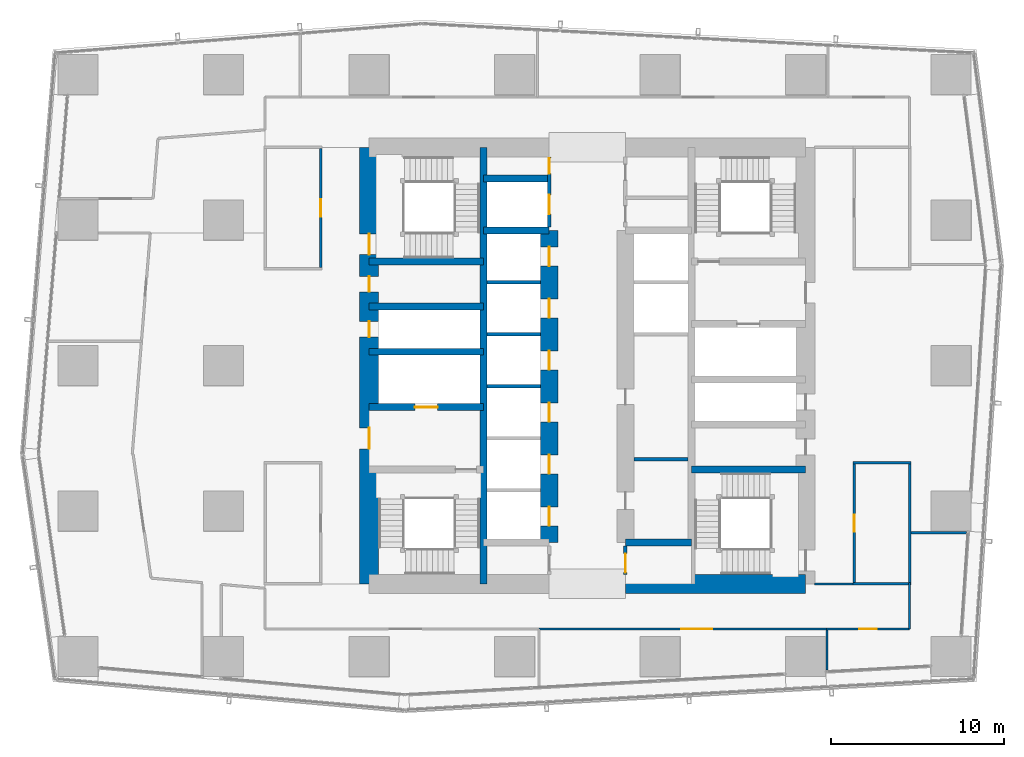
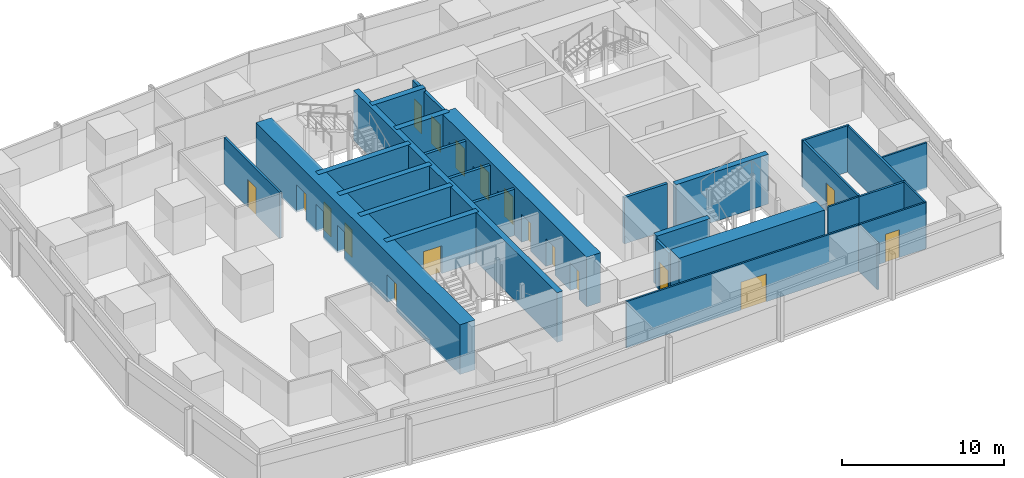
# One storey, part 22 of 32: 29 walls, 18 doors, 18 openings.
"""IFC4 building model written with IfcOpenShell, lengths in metres."""

from ifc_helpers import new_model, si_unit, direction, frame, frame_2d, origin, place, context, subcontext, project, spatial, rectangle, extrude, material, layer, layer_set, type_object, element, fill, save


model = new_model("IFC4")

# Units and contexts
model_context = context("Model", 3, precision=1e-05, world=origin(), true_north=direction((0.0, 1.0)))
body_context = subcontext(model_context, "Body", "Model", "MODEL_VIEW")
ifc_project = project(units=[si_unit("LENGTHUNIT", "METRE"), si_unit("AREAUNIT", "SQUARE_METRE"), si_unit("VOLUMEUNIT", "CUBIC_METRE"), si_unit("PLANEANGLEUNIT", "RADIAN"), si_unit("MASSUNIT", "GRAM", prefix="KILO")], contexts=[model_context])

# Site, building, storey
site_placement = place(None, origin())
site = spatial("IfcSite", under=ifc_project, at=site_placement, CompositionType="ELEMENT")
building_placement = place(site_placement, origin())
building = spatial("IfcBuilding", under=site, at=building_placement, Name="Rekha Terrace Tower", CompositionType="ELEMENT")
storey_placement = place(building_placement, frame((0.0, 0.0, 250.10009765625)))
storey = spatial("IfcBuildingStorey", under=building, at=storey_placement, Name="L63", CompositionType="ELEMENT", Elevation=250.10009765625)

# Walls
ifc_material_1 = material(Name="Concrete M60", Category="concrete")
ifc_layer_1 = layer(ifc_material_1, 0.39990234375)
ifc_layer_set_1 = layer_set([ifc_layer_1], Name="Concrete M60")
wall_type_1 = type_object("IfcWallType", Name="CI4 400 core internal shear wall", PredefinedType="SHEAR", material=ifc_layer_set_1)
wall_1_placement = place(storey_placement, frame((31.800048828125, 21.0, 0.0), z_axis=(0.0, 0.0, 1.0), x_axis=(0.0, 1.0, 0.0)))
element("IfcWall", 1, at=wall_1_placement, inside=storey, type_object=wall_type_1, Name="Core wall X318 L63", PredefinedType="SHEAR", context=body_context, shape_type="SweptSolid", body=[
    extrude(rectangle(XDim=25.199951171875, YDim=0.39990234375, at=frame_2d((12.60009765625, 0.0))), origin(), (0.0, 0.0, 1.0), 3.75),
])
for number, where, z_axis, x_axis, name in (
    (2, (31.800048828125, 41.39990234375, 0.0), (0.0, 0.0, 1.0), (1.0, 0.0, 0.0), "Core wall Y414W L63"),
    (3, (31.800048828125, 44.39990234375, 0.0), (0.0, 0.0, 1.0), (1.0, 0.0, 0.0), "Core wall Y444W L63"),
    (4, (40.0, 23.39990234375, 0.0), (0.0, 0.0, 1.0), (1.0, 0.0, 0.0), "Core wall Y234E L63"),
):
    element("IfcWall", number, at=place(storey_placement, frame(where, z_axis=z_axis, x_axis=x_axis)), inside=storey, type_object=wall_type_1, Name=name, PredefinedType="SHEAR", context=body_context, shape_type="SweptSolid", body=[
        extrude(rectangle(XDim=3.800048828125, YDim=0.39990234375, at=frame_2d((1.89990234375, 0.0))), origin(), (0.0, 0.0, 1.0), 3.75),
    ])

# Wall, opening, door
wall_2_placement = place(storey_placement, frame((25.199951171875, 31.199951171875, 0.0), z_axis=(0.0, 0.0, 1.0), x_axis=(1.0, 0.0, 0.0)))
wall_2 = element("IfcWall", 5, at=wall_2_placement, inside=storey, type_object=wall_type_1, Name="Core wall Y312W L63", PredefinedType="SHEAR", context=body_context, shape_type="SweptSolid", body=[
    extrude(rectangle(XDim=6.60009765625, YDim=0.39990234375, at=frame_2d((3.300048828125, 0.0))), origin(), (0.0, 0.0, 1.0), 3.75),
])
opening_1_placement = place(wall_2_placement, frame((2.64990234375, 0.0, 0.0)))
opening_1 = element("IfcOpeningElement", 6, at=opening_1_placement, cuts=wall_2, Name="Opening LD2", PredefinedType="OPENING", context=body_context, shape_type="SweptSolid", body=[
    extrude(rectangle(XDim=1.300048828125, YDim=2.10009765625, at=frame_2d((0.64990234375, 1.050048828125))), frame((0.0, 0.2099609375, 0.0), z_axis=(0.0, -1.0, 0.0), x_axis=(1.0, 0.0, 0.0)), (0.0, 0.0, 1.0), 0.419921875),
])
ifc_material_2 = material(Name="Stainless steel sliding landing door", Category="steel")
door_type_1 = type_object("IfcDoorType", Name="LD2 1300x2100 fire lift landing door", OperationType="SLIDING_TO_LEFT", PredefinedType="USERDEFINED", material=ifc_material_2)
door_1_placement = place(opening_1_placement, origin())
door_1 = element("IfcDoor", 7, at=door_1_placement, inside=storey, type_object=door_type_1, Name="Lift FL1 landing door L63", ObjectType="LIFT LANDING DOOR", OperationType="SLIDING_TO_LEFT", OverallHeight=2.10009765625, OverallWidth=1.300048828125, PredefinedType="USERDEFINED", context=body_context, shape_type="SweptSolid", body=[
    extrude(rectangle(XDim=1.300048828125, YDim=2.10009765625, at=frame_2d((0.64990234375, 1.050048828125))), frame((0.0, 0.02490234375, 0.0), z_axis=(0.0, -1.0, 0.0), x_axis=(1.0, 0.0, 0.0)), (0.0, 0.0, 1.0), 0.050048828125),
])
fill(opening_1, door_1)

# Walls
for number, where, z_axis, x_axis, name in (
    (8, (25.199951171875, 34.39990234375, 0.0), (0.0, 0.0, 1.0), (1.0, 0.0, 0.0), "Core wall Y344W L63"),
    (9, (25.199951171875, 37.0, 0.0), (0.0, 0.0, 1.0), (1.0, 0.0, 0.0), "Core wall Y370W L63"),
    (10, (25.199951171875, 39.60009765625, 0.0), (0.0, 0.0, 1.0), (1.0, 0.0, 0.0), "Core wall Y396W L63"),
):
    element("IfcWall", number, at=place(storey_placement, frame(where, z_axis=z_axis, x_axis=x_axis)), inside=storey, type_object=wall_type_1, Name=name, PredefinedType="SHEAR", context=body_context, shape_type="SweptSolid", body=[
        extrude(rectangle(XDim=6.60009765625, YDim=0.39990234375, at=frame_2d((3.300048828125, 0.0))), origin(), (0.0, 0.0, 1.0), 3.75),
    ])
wall_3_placement = place(storey_placement, frame((43.800048828125, 27.60009765625, 0.0), z_axis=(0.0, 0.0, 1.0), x_axis=(1.0, 0.0, 0.0)))
element("IfcWall", 11, at=wall_3_placement, inside=storey, type_object=wall_type_1, Name="Core wall Y276E L63", PredefinedType="SHEAR", context=body_context, shape_type="SweptSolid", body=[
    extrude(rectangle(XDim=6.599853515625, YDim=0.39990234375, at=frame_2d((3.2998046875, 0.0))), origin(), (0.0, 0.0, 1.0), 3.75),
])

# Wall, openings, doors
ifc_layer_2 = layer(ifc_material_1, 1.0)
ifc_layer_set_2 = layer_set([ifc_layer_2], Name="Concrete M60")
wall_type_2 = type_object("IfcWallType", Name="LW4 1000 core lobby wall at an outrigger level", PredefinedType="SHEAR", material=ifc_layer_set_2)
wall_4_placement = place(storey_placement, frame((35.60009765625, 23.39990234375, 0.0), z_axis=(0.0, 0.0, 1.0), x_axis=(0.0, 1.0, 0.0)))
wall_4 = element("IfcWall", 12, at=wall_4_placement, inside=storey, type_object=wall_type_2, Name="Core wall X356 L63", PredefinedType="SHEAR", context=body_context, shape_type="SweptSolid", body=[
    extrude(rectangle(XDim=18.0, YDim=1.0, at=frame_2d((9.0, 0.0))), origin(), (0.0, 0.0, 1.0), 3.75),
])
opening_2_placement = place(wall_4_placement, frame((0.949951171875, 0.0, 0.0)))
opening_2 = element("IfcOpeningElement", 13, at=opening_2_placement, cuts=wall_4, Name="Opening LD1", PredefinedType="OPENING", context=body_context, shape_type="SweptSolid", body=[
    extrude(rectangle(XDim=1.10009765625, YDim=2.10009765625, at=frame_2d((0.550048828125, 1.050048828125))), frame((0.0, 0.510009765625, 0.0), z_axis=(0.0, -1.0, 0.0), x_axis=(1.0, 0.0, 0.0)), (0.0, 0.0, 1.0), 1.02001953125),
])
opening_3_placement = place(wall_4_placement, frame((3.949951171875, 0.0, 0.0)))
opening_3 = element("IfcOpeningElement", 14, at=opening_3_placement, cuts=wall_4, Name="Opening LD1", PredefinedType="OPENING", context=body_context, shape_type="SweptSolid", body=[
    extrude(rectangle(XDim=1.10009765625, YDim=2.10009765625, at=frame_2d((0.550048828125, 1.050048828125))), frame((0.0, 0.510009765625, 0.0), z_axis=(0.0, -1.0, 0.0), x_axis=(1.0, 0.0, 0.0)), (0.0, 0.0, 1.0), 1.02001953125),
])
opening_4_placement = place(wall_4_placement, frame((6.949951171875, 0.0, 0.0)))
opening_4 = element("IfcOpeningElement", 15, at=opening_4_placement, cuts=wall_4, Name="Opening LD1", PredefinedType="OPENING", context=body_context, shape_type="SweptSolid", body=[
    extrude(rectangle(XDim=1.10009765625, YDim=2.10009765625, at=frame_2d((0.550048828125, 1.050048828125))), frame((0.0, 0.510009765625, 0.0), z_axis=(0.0, -1.0, 0.0), x_axis=(1.0, 0.0, 0.0)), (0.0, 0.0, 1.0), 1.02001953125),
])
opening_5_placement = place(wall_4_placement, frame((9.949951171875, 0.0, 0.0)))
opening_5 = element("IfcOpeningElement", 16, at=opening_5_placement, cuts=wall_4, Name="Opening LD1", PredefinedType="OPENING", context=body_context, shape_type="SweptSolid", body=[
    extrude(rectangle(XDim=1.10009765625, YDim=2.10009765625, at=frame_2d((0.550048828125, 1.050048828125))), frame((0.0, 0.510009765625, 0.0), z_axis=(0.0, -1.0, 0.0), x_axis=(1.0, 0.0, 0.0)), (0.0, 0.0, 1.0), 1.02001953125),
])
opening_6_placement = place(wall_4_placement, frame((12.949951171875, 0.0, 0.0)))
opening_6 = element("IfcOpeningElement", 17, at=opening_6_placement, cuts=wall_4, Name="Opening LD1", PredefinedType="OPENING", context=body_context, shape_type="SweptSolid", body=[
    extrude(rectangle(XDim=1.10009765625, YDim=2.10009765625, at=frame_2d((0.550048828125, 1.050048828125))), frame((0.0, 0.510009765625, 0.0), z_axis=(0.0, -1.0, 0.0), x_axis=(1.0, 0.0, 0.0)), (0.0, 0.0, 1.0), 1.02001953125),
])
opening_7_placement = place(wall_4_placement, frame((15.949951171875, 0.0, 0.0)))
opening_7 = element("IfcOpeningElement", 18, at=opening_7_placement, cuts=wall_4, Name="Opening LD1", PredefinedType="OPENING", context=body_context, shape_type="SweptSolid", body=[
    extrude(rectangle(XDim=1.10009765625, YDim=2.10009765625, at=frame_2d((0.550048828125, 1.050048828125))), frame((0.0, 0.510009765625, 0.0), z_axis=(0.0, -1.0, 0.0), x_axis=(1.0, 0.0, 0.0)), (0.0, 0.0, 1.0), 1.02001953125),
])
door_type_2 = type_object("IfcDoorType", Name="LD1 1100x2100 lift landing door", OperationType="SLIDING_TO_LEFT", PredefinedType="USERDEFINED", material=ifc_material_2)
door_2_placement = place(opening_2_placement, origin())
door_2 = element("IfcDoor", 19, at=door_2_placement, inside=storey, type_object=door_type_2, Name="Lift D1 landing door L63", ObjectType="LIFT LANDING DOOR", OperationType="SLIDING_TO_LEFT", OverallHeight=2.10009765625, OverallWidth=1.10009765625, PredefinedType="USERDEFINED", context=body_context, shape_type="SweptSolid", body=[
    extrude(rectangle(XDim=1.10009765625, YDim=2.10009765625, at=frame_2d((0.550048828125, 1.050048828125))), frame((0.0, 0.02490234375, 0.0), z_axis=(0.0, -1.0, 0.0), x_axis=(1.0, 0.0, 0.0)), (0.0, 0.0, 1.0), 0.050048828125),
])
fill(opening_2, door_2)
door_3_placement = place(opening_3_placement, origin())
door_3 = element("IfcDoor", 20, at=door_3_placement, inside=storey, type_object=door_type_2, Name="Lift D2 landing door L63", ObjectType="LIFT LANDING DOOR", OperationType="SLIDING_TO_LEFT", OverallHeight=2.10009765625, OverallWidth=1.10009765625, PredefinedType="USERDEFINED", context=body_context, shape_type="SweptSolid", body=[
    extrude(rectangle(XDim=1.10009765625, YDim=2.10009765625, at=frame_2d((0.550048828125, 1.050048828125))), frame((0.0, 0.02490234375, 0.0), z_axis=(0.0, -1.0, 0.0), x_axis=(1.0, 0.0, 0.0)), (0.0, 0.0, 1.0), 0.050048828125),
])
fill(opening_3, door_3)
door_4_placement = place(opening_4_placement, origin())
door_4 = element("IfcDoor", 21, at=door_4_placement, inside=storey, type_object=door_type_2, Name="Lift D3 landing door L63", ObjectType="LIFT LANDING DOOR", OperationType="SLIDING_TO_LEFT", OverallHeight=2.10009765625, OverallWidth=1.10009765625, PredefinedType="USERDEFINED", context=body_context, shape_type="SweptSolid", body=[
    extrude(rectangle(XDim=1.10009765625, YDim=2.10009765625, at=frame_2d((0.550048828125, 1.050048828125))), frame((0.0, 0.02490234375, 0.0), z_axis=(0.0, -1.0, 0.0), x_axis=(1.0, 0.0, 0.0)), (0.0, 0.0, 1.0), 0.050048828125),
])
fill(opening_4, door_4)
door_5_placement = place(opening_5_placement, origin())
door_5 = element("IfcDoor", 22, at=door_5_placement, inside=storey, type_object=door_type_2, Name="Lift D4 landing door L63", ObjectType="LIFT LANDING DOOR", OperationType="SLIDING_TO_LEFT", OverallHeight=2.10009765625, OverallWidth=1.10009765625, PredefinedType="USERDEFINED", context=body_context, shape_type="SweptSolid", body=[
    extrude(rectangle(XDim=1.10009765625, YDim=2.10009765625, at=frame_2d((0.550048828125, 1.050048828125))), frame((0.0, 0.02490234375, 0.0), z_axis=(0.0, -1.0, 0.0), x_axis=(1.0, 0.0, 0.0)), (0.0, 0.0, 1.0), 0.050048828125),
])
fill(opening_5, door_5)
door_6_placement = place(opening_6_placement, origin())
door_6 = element("IfcDoor", 23, at=door_6_placement, inside=storey, type_object=door_type_2, Name="Lift D5 landing door L63", ObjectType="LIFT LANDING DOOR", OperationType="SLIDING_TO_LEFT", OverallHeight=2.10009765625, OverallWidth=1.10009765625, PredefinedType="USERDEFINED", context=body_context, shape_type="SweptSolid", body=[
    extrude(rectangle(XDim=1.10009765625, YDim=2.10009765625, at=frame_2d((0.550048828125, 1.050048828125))), frame((0.0, 0.02490234375, 0.0), z_axis=(0.0, -1.0, 0.0), x_axis=(1.0, 0.0, 0.0)), (0.0, 0.0, 1.0), 0.050048828125),
])
fill(opening_6, door_6)
door_7_placement = place(opening_7_placement, origin())
door_7 = element("IfcDoor", 24, at=door_7_placement, inside=storey, type_object=door_type_2, Name="Lift D6 landing door L63", ObjectType="LIFT LANDING DOOR", OperationType="SLIDING_TO_LEFT", OverallHeight=2.10009765625, OverallWidth=1.10009765625, PredefinedType="USERDEFINED", context=body_context, shape_type="SweptSolid", body=[
    extrude(rectangle(XDim=1.10009765625, YDim=2.10009765625, at=frame_2d((0.550048828125, 1.050048828125))), frame((0.0, 0.02490234375, 0.0), z_axis=(0.0, -1.0, 0.0), x_axis=(1.0, 0.0, 0.0)), (0.0, 0.0, 1.0), 0.050048828125),
])
fill(opening_7, door_7)

# Wall
ifc_layer_3 = layer(ifc_material_1, 1.10009765625)
ifc_layer_set_3 = layer_set([ifc_layer_3], Name="Concrete M60")
wall_type_3 = type_object("IfcWallType", Name="SW4 1100 core outer shear wall", PredefinedType="SHEAR", material=ifc_layer_set_3)
wall_5_placement = place(storey_placement, frame((40.0, 21.0, 0.0), z_axis=(0.0, 0.0, 1.0), x_axis=(1.0, 0.0, 0.0)))
element("IfcWall", 25, at=wall_5_placement, inside=storey, type_object=wall_type_3, Name="Core wall S2 L63", PredefinedType="SHEAR", context=body_context, shape_type="SweptSolid", body=[
    extrude(rectangle(XDim=10.39990234375, YDim=1.10009765625, at=frame_2d((5.199951171875, 0.0))), origin(), (0.0, 0.0, 1.0), 3.75),
])

# Wall, openings, doors
wall_6_placement = place(storey_placement, frame((25.199951171875, 21.0, 0.0), z_axis=(0.0, 0.0, 1.0), x_axis=(0.0, 1.0, 0.0)))
wall_6 = element("IfcWall", 26, at=wall_6_placement, inside=storey, type_object=wall_type_3, Name="Core wall W L63", PredefinedType="SHEAR", context=body_context, shape_type="SweptSolid", body=[
    extrude(rectangle(XDim=25.199951171875, YDim=1.10009765625, at=frame_2d((12.60009765625, 0.0))), origin(), (0.0, 0.0, 1.0), 3.75),
])
opening_8_placement = place(wall_6_placement, frame((7.800048828125, 0.0, 0.0)))
opening_8 = element("IfcOpeningElement", 27, at=opening_8_placement, cuts=wall_6, Name="Opening D2", PredefinedType="OPENING", context=body_context, shape_type="SweptSolid", body=[
    extrude(rectangle(XDim=1.199951171875, YDim=2.10009765625, at=frame_2d((0.60009765625, 1.050048828125))), frame((0.0, 0.56005859375, 0.0), z_axis=(0.0, -1.0, 0.0), x_axis=(1.0, 0.0, 0.0)), (0.0, 0.0, 1.0), 1.1201171875),
])
opening_9_placement = place(wall_6_placement, frame((14.25, 0.0, 0.0)))
opening_9 = element("IfcOpeningElement", 28, at=opening_9_placement, cuts=wall_6, Name="Opening D5", PredefinedType="OPENING", context=body_context, shape_type="SweptSolid", body=[
    extrude(rectangle(XDim=0.89990234375, YDim=2.10009765625, at=frame_2d((0.449951171875, 1.050048828125))), frame((0.0, 0.56005859375, 0.0), z_axis=(0.0, -1.0, 0.0), x_axis=(1.0, 0.0, 0.0)), (0.0, 0.0, 1.0), 1.1201171875),
])
opening_10_placement = place(wall_6_placement, frame((16.85009765625, 0.0, 0.0)))
opening_10 = element("IfcOpeningElement", 29, at=opening_10_placement, cuts=wall_6, Name="Opening D5", PredefinedType="OPENING", context=body_context, shape_type="SweptSolid", body=[
    extrude(rectangle(XDim=0.89990234375, YDim=2.10009765625, at=frame_2d((0.449951171875, 1.050048828125))), frame((0.0, 0.56005859375, 0.0), z_axis=(0.0, -1.0, 0.0), x_axis=(1.0, 0.0, 0.0)), (0.0, 0.0, 1.0), 1.1201171875),
])
opening_11_placement = place(wall_6_placement, frame((19.0, 0.0, 0.0)))
opening_11 = element("IfcOpeningElement", 30, at=opening_11_placement, cuts=wall_6, Name="Opening D1", PredefinedType="OPENING", context=body_context, shape_type="SweptSolid", body=[
    extrude(rectangle(XDim=1.199951171875, YDim=2.10009765625, at=frame_2d((0.60009765625, 1.050048828125))), frame((0.0, 0.56005859375, 0.0), z_axis=(0.0, -1.0, 0.0), x_axis=(1.0, 0.0, 0.0)), (0.0, 0.0, 1.0), 1.1201171875),
])
ifc_material_3 = material(Name="Steel fire door", Category="steel")
door_type_3 = type_object("IfcDoorType", Name="D1 1200x2100 stair fire door", OperationType="SINGLE_SWING_RIGHT", PredefinedType="DOOR", material=ifc_material_3)
door_8_placement = place(opening_11_placement, origin())
door_8 = element("IfcDoor", 31, at=door_8_placement, inside=storey, type_object=door_type_3, Name="Stair ST4 door L63", OperationType="SINGLE_SWING_RIGHT", OverallHeight=2.10009765625, OverallWidth=1.199951171875, PredefinedType="DOOR", context=body_context, shape_type="SweptSolid", body=[
    extrude(rectangle(XDim=1.199951171875, YDim=2.10009765625, at=frame_2d((0.60009765625, 1.050048828125))), frame((0.0, 0.02490234375, 0.0), z_axis=(0.0, -1.0, 0.0), x_axis=(1.0, 0.0, 0.0)), (0.0, 0.0, 1.0), 0.050048828125),
])
fill(opening_11, door_8)
door_type_4 = type_object("IfcDoorType", Name="D2 1200x2100 firefighting lobby door", OperationType="SINGLE_SWING_LEFT", PredefinedType="DOOR", material=ifc_material_3)
door_9_placement = place(opening_8_placement, origin())
door_9 = element("IfcDoor", 32, at=door_9_placement, inside=storey, type_object=door_type_4, Name="Door flb1 L63", OperationType="SINGLE_SWING_LEFT", OverallHeight=2.10009765625, OverallWidth=1.199951171875, PredefinedType="DOOR", context=body_context, shape_type="SweptSolid", body=[
    extrude(rectangle(XDim=1.199951171875, YDim=2.10009765625, at=frame_2d((0.60009765625, 1.050048828125))), frame((0.0, 0.02490234375, 0.0), z_axis=(0.0, -1.0, 0.0), x_axis=(1.0, 0.0, 0.0)), (0.0, 0.0, 1.0), 0.050048828125),
])
fill(opening_8, door_9)
door_type_5 = type_object("IfcDoorType", Name="D5 900x2100 riser access door", OperationType="SINGLE_SWING_LEFT", PredefinedType="DOOR", material=ifc_material_3)
door_10_placement = place(opening_9_placement, origin())
door_10 = element("IfcDoor", 33, at=door_10_placement, inside=storey, type_object=door_type_5, Name="Door rs1 L63", OperationType="SINGLE_SWING_LEFT", OverallHeight=2.10009765625, OverallWidth=0.89990234375, PredefinedType="DOOR", context=body_context, shape_type="SweptSolid", body=[
    extrude(rectangle(XDim=0.89990234375, YDim=2.10009765625, at=frame_2d((0.449951171875, 1.050048828125))), frame((0.0, 0.02490234375, 0.0), z_axis=(0.0, -1.0, 0.0), x_axis=(1.0, 0.0, 0.0)), (0.0, 0.0, 1.0), 0.050048828125),
])
fill(opening_9, door_10)
door_11_placement = place(opening_10_placement, origin())
door_11 = element("IfcDoor", 34, at=door_11_placement, inside=storey, type_object=door_type_5, Name="Door elw L63", OperationType="SINGLE_SWING_LEFT", OverallHeight=2.10009765625, OverallWidth=0.89990234375, PredefinedType="DOOR", context=body_context, shape_type="SweptSolid", body=[
    extrude(rectangle(XDim=0.89990234375, YDim=2.10009765625, at=frame_2d((0.449951171875, 1.050048828125))), frame((0.0, 0.02490234375, 0.0), z_axis=(0.0, -1.0, 0.0), x_axis=(1.0, 0.0, 0.0)), (0.0, 0.0, 1.0), 0.050048828125),
])
fill(opening_10, door_11)

# Wall, opening, door
ifc_material_4 = material(Name="Concrete block masonry, 1 hour", Category="masonry")
ifc_layer_4 = layer(ifc_material_4, 0.14990234375)
ifc_layer_set_4 = layer_set([ifc_layer_4], Name="Concrete block masonry, 1 hour")
wall_type_4 = type_object("IfcWallType", Name="WP2 150 tenancy partition", PredefinedType="PARTITIONING", material=ifc_layer_set_4)
wall_7_placement = place(storey_placement, frame((22.39990234375, 39.27490234375, 0.0), z_axis=(0.0, 0.0, 1.0), x_axis=(0.0, 1.0, 0.0)))
wall_7 = element("IfcWall", 35, at=wall_7_placement, inside=storey, type_object=wall_type_4, Name="Women's WC wall L63", PredefinedType="PARTITIONING", context=body_context, shape_type="SweptSolid", body=[
    extrude(rectangle(XDim=6.85009765625, YDim=0.14990234375, at=frame_2d((3.425048828125, 0.0))), origin(), (0.0, 0.0, 1.0), 3.5),
])
opening_12_placement = place(wall_7_placement, frame((2.925048828125, 0.0, 0.0)))
opening_12 = element("IfcOpeningElement", 36, at=opening_12_placement, cuts=wall_7, Name="Opening D3", PredefinedType="OPENING", context=body_context, shape_type="SweptSolid", body=[
    extrude(rectangle(XDim=1.0, YDim=2.10009765625, at=frame_2d((0.5, 1.050048828125))), frame((0.0, 0.0849609375, 0.0), z_axis=(0.0, -1.0, 0.0), x_axis=(1.0, 0.0, 0.0)), (0.0, 0.0, 1.0), 0.169921875),
])
ifc_material_5 = material(Name="Laminated timber fire door", Category="wood")
door_type_6 = type_object("IfcDoorType", Name="D3 1000x2100 WC door", OperationType="SINGLE_SWING_LEFT", PredefinedType="DOOR", material=ifc_material_5)
door_12_placement = place(opening_12_placement, origin())
door_12 = element("IfcDoor", 37, at=door_12_placement, inside=storey, type_object=door_type_6, Name="Door women's wc L63", OperationType="SINGLE_SWING_LEFT", OverallHeight=2.10009765625, OverallWidth=1.0, PredefinedType="DOOR", context=body_context, shape_type="SweptSolid", body=[
    extrude(rectangle(XDim=1.0, YDim=2.10009765625, at=frame_2d((0.5, 1.050048828125))), frame((0.0, 0.02490234375, 0.0), z_axis=(0.0, -1.0, 0.0), x_axis=(1.0, 0.0, 0.0)), (0.0, 0.0, 1.0), 0.050048828125),
])
fill(opening_12, door_12)

# Walls
for number, where, z_axis, x_axis, name in (
    (38, (53.125, 21.0, 0.0), (0.0, 0.0, 1.0), (1.0, 0.0, 0.0), "Men's WC wall L63"),
    (39, (53.125, 28.0, 0.0), (0.0, 0.0, 1.0), (1.0, 0.0, 0.0), "Men's WC wall L63"),
):
    element("IfcWall", number, at=place(storey_placement, frame(where, z_axis=z_axis, x_axis=x_axis)), inside=storey, type_object=wall_type_4, Name=name, PredefinedType="PARTITIONING", context=body_context, shape_type="SweptSolid", body=[
        extrude(rectangle(XDim=3.35009765625, YDim=0.14990234375, at=frame_2d((1.675048828125, 0.0))), origin(), (0.0, 0.0, 1.0), 3.5),
    ])

# Wall, opening, door
wall_8_placement = place(storey_placement, frame((53.199951171875, 21.074951171875, 0.0), z_axis=(0.0, 0.0, 1.0), x_axis=(0.0, 1.0, 0.0)))
wall_8 = element("IfcWall", 40, at=wall_8_placement, inside=storey, type_object=wall_type_4, Name="Men's WC wall L63", PredefinedType="PARTITIONING", context=body_context, shape_type="SweptSolid", body=[
    extrude(rectangle(XDim=6.85009765625, YDim=0.14990234375, at=frame_2d((3.425048828125, 0.0))), origin(), (0.0, 0.0, 1.0), 3.5),
])
opening_13_placement = place(wall_8_placement, frame((2.925048828125, 0.0, 0.0)))
opening_13 = element("IfcOpeningElement", 41, at=opening_13_placement, cuts=wall_8, Name="Opening D3", PredefinedType="OPENING", context=body_context, shape_type="SweptSolid", body=[
    extrude(rectangle(XDim=1.0, YDim=2.10009765625, at=frame_2d((0.5, 1.050048828125))), frame((0.0, 0.0849609375, 0.0), z_axis=(0.0, -1.0, 0.0), x_axis=(1.0, 0.0, 0.0)), (0.0, 0.0, 1.0), 0.169921875),
])
door_13_placement = place(opening_13_placement, origin())
door_13 = element("IfcDoor", 42, at=door_13_placement, inside=storey, type_object=door_type_6, Name="Door men's wc L63", OperationType="SINGLE_SWING_LEFT", OverallHeight=2.10009765625, OverallWidth=1.0, PredefinedType="DOOR", context=body_context, shape_type="SweptSolid", body=[
    extrude(rectangle(XDim=1.0, YDim=2.10009765625, at=frame_2d((0.5, 1.050048828125))), frame((0.0, 0.02490234375, 0.0), z_axis=(0.0, -1.0, 0.0), x_axis=(1.0, 0.0, 0.0)), (0.0, 0.0, 1.0), 0.050048828125),
])
fill(opening_13, door_13)

# Walls
wall_9_placement = place(storey_placement, frame((56.39990234375, 21.074951171875, 0.0), z_axis=(0.0, 0.0, 1.0), x_axis=(0.0, 1.0, 0.0)))
element("IfcWall", 43, at=wall_9_placement, inside=storey, type_object=wall_type_4, Name="Men's WC wall L63", PredefinedType="PARTITIONING", context=body_context, shape_type="SweptSolid", body=[
    extrude(rectangle(XDim=6.85009765625, YDim=0.14990234375, at=frame_2d((3.425048828125, 0.0))), origin(), (0.0, 0.0, 1.0), 3.5),
])
ifc_material_6 = material(Name="Two layers of fire-rated gypsum board each side on steel studs, acoustic quilt, 1 hour", Category="steel")
ifc_layer_5 = layer(ifc_material_6, 0.125)
ifc_layer_set_5 = layer_set([ifc_layer_5], Name="Two layers of fire-rated gypsum board each side on steel studs, acoustic quilt, 1 hour")
wall_type_5 = type_object("IfcWallType", Name="WP3 125 office partition", PredefinedType="PARTITIONING", material=ifc_layer_set_5)
wall_10_placement = place(storey_placement, frame((59.678955078125, 23.95703125, 0.0), z_axis=(0.0, 0.0, 1.0), x_axis=(-1.0, 0.0, 0.0)))
element("IfcWall", 44, at=wall_10_placement, inside=storey, type_object=wall_type_5, Name="Partition L63-02", PredefinedType="PARTITIONING", context=body_context, shape_type="SweptSolid", body=[
    extrude(rectangle(XDim=3.203857421875, YDim=0.125, at=frame_2d((1.60205078125, 0.0))), origin(), (0.0, 0.0, 1.0), 3.5),
])
wall_11_placement = place(storey_placement, frame((53.1240234375, 21.0, 0.0), z_axis=(0.0, 0.0, 1.0), x_axis=(-1.0, 0.0, 0.0)))
element("IfcWall", 45, at=wall_11_placement, inside=storey, type_object=wall_type_5, Name="Partition L63-02", PredefinedType="PARTITIONING", context=body_context, shape_type="SweptSolid", body=[
    extrude(rectangle(XDim=2.22412109375, YDim=0.125, at=frame_2d((1.112060546875, 0.0))), origin(), (0.0, 0.0, 1.0), 3.5),
])

# Wall, opening, door
wall_12_placement = place(storey_placement, frame((35.00390625, 18.39990234375, 0.0), z_axis=(0.0, 0.0, 1.0), x_axis=(1.0, 0.0, 0.0)))
wall_12 = element("IfcWall", 46, at=wall_12_placement, inside=storey, type_object=wall_type_5, Name="Partition L63-07", PredefinedType="PARTITIONING", context=body_context, shape_type="SweptSolid", body=[
    extrude(rectangle(XDim=16.60400390625, YDim=0.125, at=frame_2d((8.302001953125, 0.0))), origin(), (0.0, 0.0, 1.0), 3.5),
])
opening_14_placement = place(wall_12_placement, frame((8.201904296875, 0.0, 0.0)))
opening_14 = element("IfcOpeningElement", 47, at=opening_14_placement, cuts=wall_12, Name="Opening D8", PredefinedType="OPENING", context=body_context, shape_type="SweptSolid", body=[
    extrude(rectangle(XDim=1.800048828125, YDim=2.10009765625, at=frame_2d((0.89990234375, 1.050048828125))), frame((0.0, 0.072509765625, 0.0), z_axis=(0.0, -1.0, 0.0), x_axis=(1.0, 0.0, 0.0)), (0.0, 0.0, 1.0), 0.14501953125),
])
ifc_material_7 = material(Name="Timber fire door", Category="wood")
door_type_7 = type_object("IfcDoorType", Name="D8 1800x2100 double leaf door", OperationType="DOUBLE_DOOR_SINGLE_SWING", PredefinedType="DOOR", material=ifc_material_7)
door_14_placement = place(opening_14_placement, origin())
door_14 = element("IfcDoor", 48, at=door_14_placement, inside=storey, type_object=door_type_7, Name="Door executive dining L63", OperationType="DOUBLE_DOOR_SINGLE_SWING", OverallHeight=2.10009765625, OverallWidth=1.800048828125, PredefinedType="DOOR", context=body_context, shape_type="SweptSolid", body=[
    extrude(rectangle(XDim=1.800048828125, YDim=2.10009765625, at=frame_2d((0.89990234375, 1.050048828125))), frame((0.0, 0.02490234375, 0.0), z_axis=(0.0, -1.0, 0.0), x_axis=(1.0, 0.0, 0.0)), (0.0, 0.0, 1.0), 0.050048828125),
])
fill(opening_14, door_14)

# Wall
wall_13_placement = place(storey_placement, frame((51.64208984375, 18.3369140625, 0.0), z_axis=(0.0, 0.0, 1.0), x_axis=(0.0, -1.0, 0.0)))
element("IfcWall", 49, at=wall_13_placement, inside=storey, type_object=wall_type_5, Name="Partition L63-07", PredefinedType="PARTITIONING", context=body_context, shape_type="SweptSolid", body=[
    extrude(rectangle(XDim=2.31396484375, YDim=0.125, at=frame_2d((1.156982421875, 0.0))), origin(), (0.0, 0.0, 1.0), 3.5),
])

# Wall, opening, door
wall_14_placement = place(storey_placement, frame((51.60791015625, 18.39990234375, 0.0), z_axis=(0.0, 0.0, 1.0), x_axis=(1.0, 0.0, 0.0)))
wall_14 = element("IfcWall", 50, at=wall_14_placement, inside=storey, type_object=wall_type_5, Name="Partition L63-08", PredefinedType="PARTITIONING", context=body_context, shape_type="SweptSolid", body=[
    extrude(rectangle(XDim=4.7919921875, YDim=0.125, at=frame_2d((2.39599609375, 0.0))), origin(), (0.0, 0.0, 1.0), 3.5),
])
opening_15_placement = place(wall_14_placement, frame((1.89599609375, 0.0, 0.0)))
opening_15 = element("IfcOpeningElement", 51, at=opening_15_placement, cuts=wall_14, Name="Opening D9", PredefinedType="OPENING", context=body_context, shape_type="SweptSolid", body=[
    extrude(rectangle(XDim=1.0, YDim=2.10009765625, at=frame_2d((0.5, 1.050048828125))), frame((0.0, 0.072509765625, 0.0), z_axis=(0.0, -1.0, 0.0), x_axis=(1.0, 0.0, 0.0)), (0.0, 0.0, 1.0), 0.14501953125),
])
door_type_8 = type_object("IfcDoorType", Name="D9 1000x2100 office door", OperationType="SINGLE_SWING_LEFT", PredefinedType="DOOR", material=ifc_material_7)
door_15_placement = place(opening_15_placement, origin())
door_15 = element("IfcDoor", 52, at=door_15_placement, inside=storey, type_object=door_type_8, Name="Door business lounge L63", OperationType="SINGLE_SWING_LEFT", OverallHeight=2.10009765625, OverallWidth=1.0, PredefinedType="DOOR", context=body_context, shape_type="SweptSolid", body=[
    extrude(rectangle(XDim=1.0, YDim=2.10009765625, at=frame_2d((0.5, 1.050048828125))), frame((0.0, 0.02490234375, 0.0), z_axis=(0.0, -1.0, 0.0), x_axis=(1.0, 0.0, 0.0)), (0.0, 0.0, 1.0), 0.050048828125),
])
fill(opening_15, door_15)

# Walls
wall_15_placement = place(storey_placement, frame((56.39990234375, 18.39990234375, 0.0), z_axis=(0.0, 0.0, 1.0), x_axis=(0.0, 1.0, 0.0)))
element("IfcWall", 53, at=wall_15_placement, inside=storey, type_object=wall_type_5, Name="Partition L63-08", PredefinedType="PARTITIONING", context=body_context, shape_type="SweptSolid", body=[
    extrude(rectangle(XDim=2.675048828125, YDim=0.125, at=frame_2d((1.33740234375, 0.0))), origin(), (0.0, 0.0, 1.0), 3.5),
])
ifc_material_8 = material(Name="Solid concrete block masonry, 2 hour", Category="masonry")
ifc_layer_6 = layer(ifc_material_8, 0.199951171875)
ifc_layer_set_6 = layer_set([ifc_layer_6], Name="Solid concrete block masonry, 2 hour")
wall_type_6 = type_object("IfcWallType", Name="WS1 200 stair and shaft enclosure", PredefinedType="PARTITIONING", material=ifc_layer_set_6)
for number, where, z_axis, x_axis, name in (
    (54, (32.0, 32.39990234375, 0.0), (0.0, 0.0, 1.0), (1.0, 0.0, 0.0), "Lift shaft divider L63"),
    (55, (32.0, 35.39990234375, 0.0), (0.0, 0.0, 1.0), (1.0, 0.0, 0.0), "Lift shaft divider L63"),
    (56, (32.0, 38.39990234375, 0.0), (0.0, 0.0, 1.0), (1.0, 0.0, 0.0), "Lift shaft divider L63"),
):
    element("IfcWall", number, at=place(storey_placement, frame(where, z_axis=z_axis, x_axis=x_axis)), inside=storey, type_object=wall_type_6, Name=name, PredefinedType="PARTITIONING", context=body_context, shape_type="SweptSolid", body=[
        extrude(rectangle(XDim=3.10009765625, YDim=0.199951171875, at=frame_2d((1.550048828125, 0.0))), origin(), (0.0, 0.0, 1.0), 3.5),
    ])

# Wall, opening, door
wall_16_placement = place(storey_placement, frame((40.0, 21.550048828125, 0.0), z_axis=(0.0, 0.0, 1.0), x_axis=(0.0, 1.0, 0.0)))
wall_16 = element("IfcWall", 57, at=wall_16_placement, inside=storey, type_object=wall_type_6, Name="Core partition wca L63", PredefinedType="PARTITIONING", context=body_context, shape_type="SweptSolid", body=[
    extrude(rectangle(XDim=1.64990234375, YDim=0.199951171875, at=frame_2d((0.824951171875, 0.0))), origin(), (0.0, 0.0, 1.0), 3.5),
])
opening_16_placement = place(wall_16_placement, frame((0.10009765625, 0.0, 0.0)))
opening_16 = element("IfcOpeningElement", 58, at=opening_16_placement, cuts=wall_16, Name="Opening D4", PredefinedType="OPENING", context=body_context, shape_type="SweptSolid", body=[
    extrude(rectangle(XDim=1.10009765625, YDim=2.10009765625, at=frame_2d((0.550048828125, 1.050048828125))), frame((0.0, 0.10986328125, 0.0), z_axis=(0.0, -1.0, 0.0), x_axis=(1.0, 0.0, 0.0)), (0.0, 0.0, 1.0), 0.219970703125),
])
door_type_9 = type_object("IfcDoorType", Name="D4 1100x2100 accessible WC door", OperationType="SLIDING_TO_LEFT", PredefinedType="DOOR", material=ifc_material_5)
door_16_placement = place(opening_16_placement, origin())
door_16 = element("IfcDoor", 59, at=door_16_placement, inside=storey, type_object=door_type_9, Name="Door wca L63", OperationType="SLIDING_TO_LEFT", OverallHeight=2.10009765625, OverallWidth=1.10009765625, PredefinedType="DOOR", context=body_context, shape_type="SweptSolid", body=[
    extrude(rectangle(XDim=1.10009765625, YDim=2.10009765625, at=frame_2d((0.550048828125, 1.050048828125))), frame((0.0, 0.02490234375, 0.0), z_axis=(0.0, -1.0, 0.0), x_axis=(1.0, 0.0, 0.0)), (0.0, 0.0, 1.0), 0.050048828125),
])
fill(opening_16, door_16)

# Wall, openings, doors
wall_17_placement = place(storey_placement, frame((35.60009765625, 41.60009765625, 0.0), z_axis=(0.0, 0.0, 1.0), x_axis=(0.0, 1.0, 0.0)))
wall_17 = element("IfcWall", 60, at=wall_17_placement, inside=storey, type_object=wall_type_6, Name="Core partition jansv L63", PredefinedType="PARTITIONING", context=body_context, shape_type="SweptSolid", body=[
    extrude(rectangle(XDim=4.0498046875, YDim=0.199951171875, at=frame_2d((2.02490234375, 0.0))), origin(), (0.0, 0.0, 1.0), 3.5),
])
opening_17_placement = place(wall_17_placement, frame((3.074951171875, 0.0, 0.0)))
opening_17 = element("IfcOpeningElement", 61, at=opening_17_placement, cuts=wall_17, Name="Opening D5", PredefinedType="OPENING", context=body_context, shape_type="SweptSolid", body=[
    extrude(rectangle(XDim=0.89990234375, YDim=2.10009765625, at=frame_2d((0.449951171875, 1.050048828125))), frame((0.0, 0.10986328125, 0.0), z_axis=(0.0, -1.0, 0.0), x_axis=(1.0, 0.0, 0.0)), (0.0, 0.0, 1.0), 0.219970703125),
])
opening_18_placement = place(wall_17_placement, frame((0.75, 0.0, 0.0)))
opening_18 = element("IfcOpeningElement", 62, at=opening_18_placement, cuts=wall_17, Name="Opening LD1", PredefinedType="OPENING", context=body_context, shape_type="SweptSolid", body=[
    extrude(rectangle(XDim=1.10009765625, YDim=2.10009765625, at=frame_2d((0.550048828125, 1.050048828125))), frame((0.0, 0.10986328125, 0.0), z_axis=(0.0, -1.0, 0.0), x_axis=(1.0, 0.0, 0.0)), (0.0, 0.0, 1.0), 0.219970703125),
])
door_17_placement = place(opening_17_placement, origin())
door_17 = element("IfcDoor", 63, at=door_17_placement, inside=storey, type_object=door_type_5, Name="Door janitor room L63", OperationType="SINGLE_SWING_LEFT", OverallHeight=2.10009765625, OverallWidth=0.89990234375, PredefinedType="DOOR", context=body_context, shape_type="SweptSolid", body=[
    extrude(rectangle(XDim=0.89990234375, YDim=2.10009765625, at=frame_2d((0.449951171875, 1.050048828125))), frame((0.0, 0.02490234375, 0.0), z_axis=(0.0, -1.0, 0.0), x_axis=(1.0, 0.0, 0.0)), (0.0, 0.0, 1.0), 0.050048828125),
])
fill(opening_17, door_17)
door_18_placement = place(opening_18_placement, origin())
door_18 = element("IfcDoor", 64, at=door_18_placement, inside=storey, type_object=door_type_2, Name="Lift SV1 landing door L63", ObjectType="LIFT LANDING DOOR", OperationType="SLIDING_TO_LEFT", OverallHeight=2.10009765625, OverallWidth=1.10009765625, PredefinedType="USERDEFINED", context=body_context, shape_type="SweptSolid", body=[
    extrude(rectangle(XDim=1.10009765625, YDim=2.10009765625, at=frame_2d((0.550048828125, 1.050048828125))), frame((0.0, 0.02490234375, 0.0), z_axis=(0.0, -1.0, 0.0), x_axis=(1.0, 0.0, 0.0)), (0.0, 0.0, 1.0), 0.050048828125),
])
fill(opening_18, door_18)

# Wall
wall_18_placement = place(storey_placement, frame((40.5, 28.199951171875, 0.0), z_axis=(0.0, 0.0, 1.0), x_axis=(1.0, 0.0, 0.0)))
element("IfcWall", 65, at=wall_18_placement, inside=storey, type_object=wall_type_6, Name="Core partition freed shafts L63", PredefinedType="PARTITIONING", context=body_context, shape_type="SweptSolid", body=[
    extrude(rectangle(XDim=3.10009765625, YDim=0.199951171875, at=frame_2d((1.550048828125, 0.0))), origin(), (0.0, 0.0, 1.0), 3.5),
])

save(model, "model.ifc")
